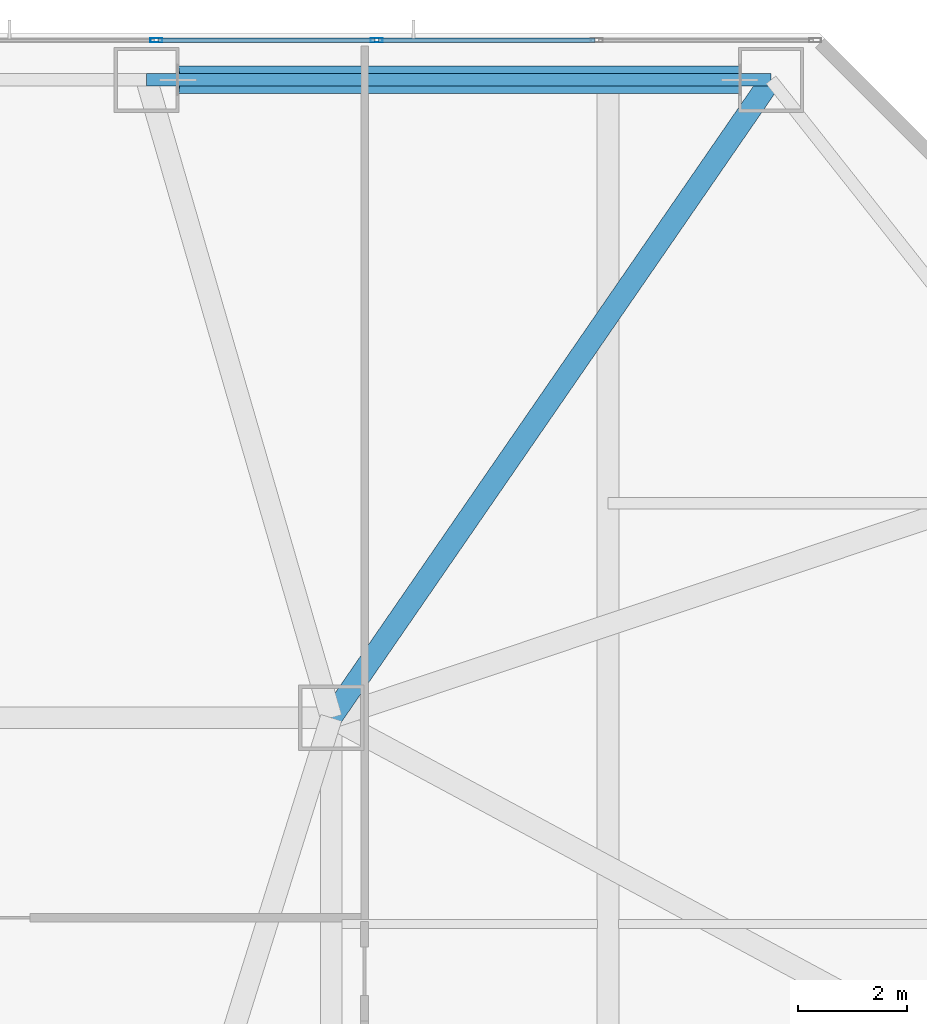
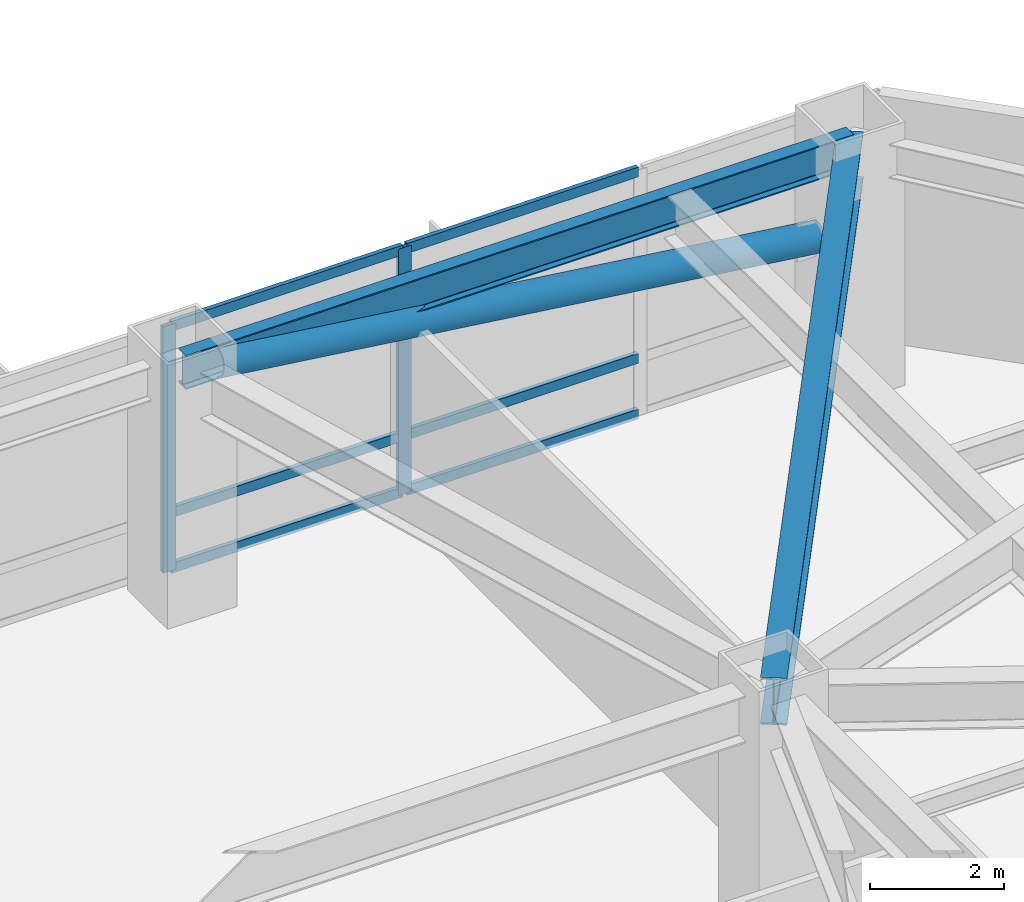
# One storey, part 14 of 33: 9 members, 2 beams, 1 element without a shape of its own.
"""IFC4 building model written with IfcOpenShell, lengths in metres."""

import ifcopenshell
import ifcopenshell.guid

model = None  # the IFC model being written
_history = None  # IfcOwnerHistory: only IFC2X3 demands one
_inside = {}  # id of a spatial element -> (the spatial element, [elements in it])
_under = {}  # id of a project, library or spatial element -> (it, [spatial elements below it])
_declared = {}  # id of a project -> (the project, [libraries it declares])
_typed = {}  # id of a type object -> (the type object, [elements of that type])
_made_of = {}  # id of a material, layer set ... -> (it, [elements and type objects made of it])


def new_model(schema):
    """Start an empty IFC model of exactly this schema.

    Asked for "IFC4X3", IfcOpenShell would pick the latest addendum, in which some entities
    have other attributes; the version numbers below select the first issue.
    IFC2X3 requires an IfcOwnerHistory on every rooted entity: one is made here for all.
    """
    global model, _history
    if schema == "IFC4X3":
        model = ifcopenshell.file(schema_version=(4, 3, 0, 0))
    else:
        model = ifcopenshell.file(schema=schema)
    _inside.clear()
    _under.clear()
    _declared.clear()
    _typed.clear()
    _made_of.clear()
    _history = None
    if model.schema == "IFC2X3":
        org = make("IfcOrganization", Name="unknown")
        user = make(
            "IfcPersonAndOrganization",
            ThePerson=make("IfcPerson", FamilyName="unknown"),
            TheOrganization=org,
        )
        app = make(
            "IfcApplication",
            ApplicationDeveloper=org,
            Version="unknown",
            ApplicationFullName="unknown",
            ApplicationIdentifier="unknown",
        )
        _history = make(
            "IfcOwnerHistory",
            OwningUser=user,
            OwningApplication=app,
            ChangeAction="ADDED",
            CreationDate=0,
        )
    return model


def make(cls, **values):
    """One entity of the class cls with the attributes given. An attribute that is None is left unset."""
    return model.create_entity(
        cls, **{name: value for name, value in values.items() if value is not None}
    )


def rooted(cls, **values):
    """An entity with a GlobalId (a new one), such as an element, a storey or a relation."""
    return make(cls, GlobalId=ifcopenshell.guid.new(), OwnerHistory=_history, **values)


def si_unit(unit_type, name, prefix=None):
    """IfcSIUnit, for example si_unit("LENGTHUNIT", "METRE", prefix="MILLI")."""
    return make("IfcSIUnit", UnitType=unit_type, Prefix=prefix, Name=name)


def assignment(units):
    """IfcUnitAssignment: the units of a project."""
    return None if units is None else make("IfcUnitAssignment", Units=units)


def point(xyz):
    """IfcCartesianPoint."""
    return None if xyz is None else make("IfcCartesianPoint", Coordinates=xyz)


def direction(xyz):
    """IfcDirection."""
    return None if xyz is None else make("IfcDirection", DirectionRatios=xyz)


def frame(location, z_axis=None, x_axis=None):
    """IfcAxis2Placement3D, a coordinate frame: its origin and axes. An axis left out is left unset."""
    return make(
        "IfcAxis2Placement3D",
        Location=point(location),
        Axis=direction(z_axis),
        RefDirection=direction(x_axis),
    )


def frame_2d(location, x_axis=None):
    """IfcAxis2Placement2D, a coordinate frame in the plane: its origin and x axis."""
    return make(
        "IfcAxis2Placement2D", Location=point(location), RefDirection=direction(x_axis)
    )


def origin():
    """The frame at (0, 0, 0) with its axes left unset."""
    return frame((0.0, 0.0, 0.0))


def origin_2d():
    """The frame at (0, 0) in the plane with its x axis left unset."""
    return frame_2d((0.0, 0.0))


def place(relative_to, where):
    """IfcLocalPlacement: puts the frame where relative to a parent placement (None: the world)."""
    return make(
        "IfcLocalPlacement", PlacementRelTo=relative_to, RelativePlacement=where
    )


def context(
    kind, dimensions, precision=None, world=None, true_north=None, identifier=None
):
    """IfcGeometricRepresentationContext, for example the 3D "Model" context."""
    return make(
        "IfcGeometricRepresentationContext",
        ContextIdentifier=identifier,
        ContextType=kind,
        CoordinateSpaceDimension=dimensions,
        Precision=precision,
        WorldCoordinateSystem=world,
        TrueNorth=true_north,
    )


def subcontext(parent, identifier, kind, view, scale=None):
    """IfcGeometricRepresentationSubContext, for example "Body" below "Model"."""
    return make(
        "IfcGeometricRepresentationSubContext",
        ContextIdentifier=identifier,
        ContextType=kind,
        ParentContext=parent,
        TargetScale=scale,
        TargetView=view,
    )


def project(units=None, contexts=None):
    """IfcProject with its units and contexts."""
    return rooted(
        "IfcProject",
        Name="project",
        RepresentationContexts=contexts,
        UnitsInContext=assignment(units),
    )


def spatial(cls, under=None, at=None, **own):
    """A site, building, storey or space (cls), placed at a placement, below another one or the project."""
    s = rooted(cls, ObjectPlacement=at, **own)
    if under is not None:
        _under.setdefault(under.id(), (under, []))[1].append(s)
    return s


def profile(cls, at=None, kind="AREA", **sizes):
    """A parametric profile (cls). Its sizes go by their IFC names, for example OverallWidth=200.0."""
    return make(cls, ProfileType=kind, Position=at, **sizes)


def hollow_rectangle(**sizes):
    """IfcRectangleHollowProfileDef."""
    return profile("IfcRectangleHollowProfileDef", **sizes)


def hollow_circle(**sizes):
    """IfcCircleHollowProfileDef."""
    return profile("IfcCircleHollowProfileDef", **sizes)


def i_section(**sizes):
    """IfcIShapeProfileDef."""
    return profile("IfcIShapeProfileDef", **sizes)


def extrude(swept, where, along, depth):
    """IfcExtrudedAreaSolid: the profile swept, set in the frame where, extruded along a direction by depth."""
    return make(
        "IfcExtrudedAreaSolid",
        SweptArea=swept,
        Position=where,
        ExtrudedDirection=direction(along),
        Depth=depth,
    )


def shape(context_of_items, identifier, shape_type, items):
    """IfcShapeRepresentation: the items that make up one representation, for example the "Body"."""
    return make(
        "IfcShapeRepresentation",
        ContextOfItems=context_of_items,
        RepresentationIdentifier=identifier,
        RepresentationType=shape_type,
        Items=items,
    )


def material(Name=None, Category=None):
    """IfcMaterial."""
    return make("IfcMaterial", Name=Name, Category=Category)


def material_profile(
    of_material, cross_section, Name=None, Category=None, Priority=None
):
    """IfcMaterialProfile: a cross section and its material."""
    return make(
        "IfcMaterialProfile",
        Name=Name,
        Material=of_material,
        Profile=cross_section,
        Priority=Priority,
        Category=Category,
    )


def profile_set(profiles, Name=None, composite=None):
    """IfcMaterialProfileSet."""
    return make(
        "IfcMaterialProfileSet",
        Name=Name,
        MaterialProfiles=profiles,
        CompositeProfile=composite,
    )


def made_of(thing, what):
    """Note that an element or type object is made of a material, layer set ...; save() writes the relation."""
    if what is not None:
        _made_of.setdefault(what.id(), (what, []))[1].append(thing)
    return thing


def type_object(cls, material=None, **own):
    """A type object (cls), such as IfcWallType, which elements share."""
    return made_of(rooted(cls, **own), material)


def element(
    cls,
    number,
    at=None,
    inside=None,
    cuts=None,
    type_object=None,
    material=None,
    context=None,
    identifier="Body",
    shape_type=None,
    held_by="IfcProductDefinitionShape",
    body=None,
    shapes=None,
    **own,
):
    """One element of the class cls, such as IfcWall. Its Tag is "e" and its number.

    at: its placement. inside: the storey or other place that contains it. cuts: it is an
    opening in that element (IfcRelVoidsElement). A single representation is given by context,
    identifier, shape_type and body (its items); several are given by shapes. held_by: the class
    of the entity that holds the representations. save() writes the other relations.
    """
    e = rooted(cls, Tag="e%d" % number, ObjectPlacement=at, **own)
    if body is not None:
        shapes = [shape(context, identifier, shape_type, body)]
    if shapes is not None:
        e.Representation = make(held_by, Representations=shapes)
    if inside is not None:
        _inside.setdefault(inside.id(), (inside, []))[1].append(e)
    if cuts is not None:
        rooted(
            "IfcRelVoidsElement", RelatingBuildingElement=cuts, RelatedOpeningElement=e
        )
    if type_object is not None:
        _typed.setdefault(type_object.id(), (type_object, []))[1].append(e)
    return made_of(e, material)


def aggregate(whole, parts):
    """IfcRelAggregates: a whole, such as a stair, and the parts it consists of."""
    return rooted("IfcRelAggregates", RelatingObject=whole, RelatedObjects=parts)


def save(model, path):
    """Write the relations noted so far, then the file.

    IfcRelAggregates (storeys below a building ...), IfcRelContainedInSpatialStructure (elements
    in a storey), IfcRelDefinesByType, IfcRelAssociatesMaterial and IfcRelDeclares: one each for
    every whole, place, type object, material and project.
    """
    for whole, parts in _under.values():
        aggregate(whole, parts)
    for where, things in _inside.values():
        rooted(
            "IfcRelContainedInSpatialStructure",
            RelatedElements=things,
            RelatingStructure=where,
        )
    for kind, things in _typed.values():
        rooted("IfcRelDefinesByType", RelatedObjects=things, RelatingType=kind)
    for what, things in _made_of.values():
        rooted("IfcRelAssociatesMaterial", RelatedObjects=things, RelatingMaterial=what)
    for by, libraries in _declared.values():
        rooted("IfcRelDeclares", RelatingContext=by, RelatedDefinitions=libraries)
    model.write(path)


model = new_model("IFC4")

# Units and contexts
model_context = context("Model", 3, precision=1e-05, world=origin(), true_north=direction((0.0, 1.0)))
body_context = subcontext(model_context, "Body", "Model", "MODEL_VIEW")
ifc_project = project(units=[si_unit("LENGTHUNIT", "METRE"), si_unit("AREAUNIT", "SQUARE_METRE"), si_unit("VOLUMEUNIT", "CUBIC_METRE"), si_unit("PLANEANGLEUNIT", "RADIAN"), si_unit("MASSUNIT", "GRAM", prefix="KILO")], contexts=[model_context])

# Site, building, storey
site_placement = place(None, origin())
site = spatial("IfcSite", under=ifc_project, at=site_placement, CompositionType="ELEMENT")
building_placement = place(site_placement, origin())
building = spatial("IfcBuilding", under=site, at=building_placement, Name="Khamvora Tower", CompositionType="ELEMENT")
storey_placement = place(building_placement, frame((0.0, 0.0, 7.199951171875)))
storey = spatial("IfcBuildingStorey", under=building, at=storey_placement, Name="L01", CompositionType="ELEMENT", Elevation=7.199951171875)

# Beams
ifc_material_1 = material(Name="Steel S355", Category="steel")
ifc_material_profile_1 = material_profile(ifc_material_1, i_section(OverallWidth=0.39990234375, OverallDepth=0.85498046875, WebThickness=0.01806640625, FlangeThickness=0.029052734375, FilletRadius=0.01806640625, at=origin_2d()), Name="W840x299")
ifc_profile_set_1 = profile_set([ifc_material_profile_1], Name="Steel S355")
beam_type_1 = type_object("IfcBeamType", Name="BM-PG-W840x299", PredefinedType="BEAM", material=ifc_profile_set_1)
beam_1_placement = place(storey_placement, frame((41.39990234375, 43.39990234375, 4.052001953125), z_axis=(0.567573841069, 0.823322497527, 0.0), x_axis=(-0.823322497527, 0.567573841069, 0.0)))
element("IfcBeam", 1, at=beam_1_placement, inside=storey, type_object=beam_type_1, Name="L01 primary floor girder P08", PredefinedType="BEAM", context=body_context, shape_type="SweptSolid", body=[
    extrude(i_section(OverallWidth=0.39990234375, OverallDepth=0.85498046875, WebThickness=0.01806640625, FlangeThickness=0.029052734375, FilletRadius=0.01806640625, at=origin_2d()), origin(), (0.0, 0.0, 1.0), 14.271484375),
])
ifc_material_profile_2 = material_profile(ifc_material_1, i_section(OverallWidth=0.22998046875, OverallDepth=0.616943359375, WebThickness=0.012939453125, FlangeThickness=0.02197265625, FilletRadius=0.013916015625, at=origin_2d()), Name="W610x140")
ifc_profile_set_2 = profile_set([ifc_material_profile_2], Name="Steel S355")
beam_type_2 = type_object("IfcBeamType", Name="BM-SP-W610x140", PredefinedType="SPANDREL", material=ifc_profile_set_2)
beam_2_placement = place(storey_placement, frame((49.5, 55.14990234375, 4.171142578125), z_axis=(-1.0, 0.0, 0.0), x_axis=(0.0, -1.0, 0.0)))
element("IfcBeam", 2, at=beam_2_placement, inside=storey, type_object=beam_type_2, Name="L01 perimeter spandrel beam P08-P07", PredefinedType="SPANDREL", context=body_context, shape_type="SweptSolid", body=[
    extrude(i_section(OverallWidth=0.22998046875, OverallDepth=0.616943359375, WebThickness=0.012939453125, FlangeThickness=0.02197265625, FilletRadius=0.013916015625, at=origin_2d()), origin(), (0.0, 0.0, 1.0), 11.5),
])

# Curtain wall, members
ifc_material_2 = material(Name="Anodised Aluminium 6063-T6", Category="aluminium")
curtain_wall_type = type_object("IfcCurtainWallType", Name="CW-SYS-01", PredefinedType="NOTDEFINED", material=ifc_material_2)
curtain_wall_placement = place(storey_placement, origin())
curtain_wall = element("IfcCurtainWall", 3, at=curtain_wall_placement, inside=storey, type_object=curtain_wall_type, Name="L01 stick curtain wall 07.1", PredefinedType="NOTDEFINED")
ifc_material_profile_3 = material_profile(ifc_material_2, hollow_rectangle(XDim=0.074951171875, YDim=0.219970703125, WallThickness=0.0048828125, at=origin_2d()), Name="MUL75x220x5")
ifc_profile_set_3 = profile_set([ifc_material_profile_3], Name="Anodised Aluminium 6063-T6")
member_type_1 = type_object("IfcMemberType", Name="CW-SYS-01-MUL", PredefinedType="MULLION", material=ifc_profile_set_3)
member_1_placement = place(storey_placement, frame((38.18017578125, 55.8798828125, 0.0), z_axis=(0.0, 0.0, 1.0), x_axis=(0.0, 1.0, 0.0)))
member_1 = element("IfcMember", 4, at=member_1_placement, type_object=member_type_1, Name="CW-01 mullion 9", PredefinedType="MULLION", context=body_context, shape_type="SweptSolid", body=[
    extrude(hollow_rectangle(XDim=0.074951171875, YDim=0.219970703125, WallThickness=0.0048828125, at=origin_2d()), origin(), (0.0, 0.0, 1.0), 4.47998046875),
])
member_2_placement = place(storey_placement, frame((42.23681640625, 55.8798828125, 0.0), z_axis=(0.0, 0.0, 1.0), x_axis=(0.0, 1.0, 0.0)))
member_2 = element("IfcMember", 5, at=member_2_placement, type_object=member_type_1, Name="CW-01 mullion 10", PredefinedType="MULLION", context=body_context, shape_type="SweptSolid", body=[
    extrude(hollow_rectangle(XDim=0.074951171875, YDim=0.219970703125, WallThickness=0.0048828125, at=origin_2d()), origin(), (0.0, 0.0, 1.0), 4.47998046875),
])
ifc_material_profile_4 = material_profile(ifc_material_2, hollow_rectangle(XDim=0.074951171875, YDim=0.179931640625, WallThickness=0.0048828125, at=origin_2d()), Name="TRN75x180x5")
ifc_profile_set_4 = profile_set([ifc_material_profile_4], Name="Anodised Aluminium 6063-T6")
member_type_2 = type_object("IfcMemberType", Name="CW-SYS-01-TRN", PredefinedType="USERDEFINED", material=ifc_profile_set_4)
member_3_placement = place(storey_placement, frame((38.217529296875, 55.8798828125, 0.03759765625), z_axis=(1.0, 0.0, 0.0), x_axis=(0.0, 1.0, 0.0)))
member_3 = element("IfcMember", 6, at=member_3_placement, type_object=member_type_2, Name="CW-01 transom 9.1", ObjectType="TRANSOM", PredefinedType="USERDEFINED", context=body_context, shape_type="SweptSolid", body=[
    extrude(hollow_rectangle(XDim=0.074951171875, YDim=0.179931640625, WallThickness=0.0048828125, at=origin_2d()), origin(), (0.0, 0.0, 1.0), 3.981689453125),
])
member_4_placement = place(storey_placement, frame((38.217529296875, 55.8798828125, 1.050048828125), z_axis=(1.0, 0.0, 0.0), x_axis=(0.0, 1.0, 0.0)))
member_4 = element("IfcMember", 7, at=member_4_placement, type_object=member_type_2, Name="CW-01 transom 9.2", ObjectType="TRANSOM", PredefinedType="USERDEFINED", context=body_context, shape_type="SweptSolid", body=[
    extrude(hollow_rectangle(XDim=0.074951171875, YDim=0.179931640625, WallThickness=0.0048828125, at=origin_2d()), origin(), (0.0, 0.0, 1.0), 3.981689453125),
])
member_5_placement = place(storey_placement, frame((38.217529296875, 55.8798828125, 4.442626953125), z_axis=(1.0, 0.0, 0.0), x_axis=(0.0, 1.0, 0.0)))
member_5 = element("IfcMember", 8, at=member_5_placement, type_object=member_type_2, Name="CW-01 transom 9.3", ObjectType="TRANSOM", PredefinedType="USERDEFINED", context=body_context, shape_type="SweptSolid", body=[
    extrude(hollow_rectangle(XDim=0.074951171875, YDim=0.179931640625, WallThickness=0.0048828125, at=origin_2d()), origin(), (0.0, 0.0, 1.0), 3.981689453125),
])
member_6_placement = place(storey_placement, frame((42.274169921875, 55.8798828125, 0.03759765625), z_axis=(1.0, 0.0, 0.0), x_axis=(0.0, 1.0, 0.0)))
member_6 = element("IfcMember", 9, at=member_6_placement, type_object=member_type_2, Name="CW-01 transom 10.1", ObjectType="TRANSOM", PredefinedType="USERDEFINED", context=body_context, shape_type="SweptSolid", body=[
    extrude(hollow_rectangle(XDim=0.074951171875, YDim=0.179931640625, WallThickness=0.0048828125, at=origin_2d()), origin(), (0.0, 0.0, 1.0), 3.981689453125),
])
member_7_placement = place(storey_placement, frame((42.274169921875, 55.8798828125, 1.050048828125), z_axis=(1.0, 0.0, 0.0), x_axis=(0.0, 1.0, 0.0)))
member_7 = element("IfcMember", 10, at=member_7_placement, type_object=member_type_2, Name="CW-01 transom 10.2", ObjectType="TRANSOM", PredefinedType="USERDEFINED", context=body_context, shape_type="SweptSolid", body=[
    extrude(hollow_rectangle(XDim=0.074951171875, YDim=0.179931640625, WallThickness=0.0048828125, at=origin_2d()), origin(), (0.0, 0.0, 1.0), 3.981689453125),
])
member_8_placement = place(storey_placement, frame((42.274169921875, 55.8798828125, 4.442626953125), z_axis=(1.0, 0.0, 0.0), x_axis=(0.0, 1.0, 0.0)))
member_8 = element("IfcMember", 11, at=member_8_placement, type_object=member_type_2, Name="CW-01 transom 10.3", ObjectType="TRANSOM", PredefinedType="USERDEFINED", context=body_context, shape_type="SweptSolid", body=[
    extrude(hollow_rectangle(XDim=0.074951171875, YDim=0.179931640625, WallThickness=0.0048828125, at=origin_2d()), origin(), (0.0, 0.0, 1.0), 3.981689453125),
])
aggregate(curtain_wall, [member_1, member_2, member_3, member_4, member_5, member_6, member_7, member_8])

# Member
ifc_material_3 = material(Name="Steel S460", Category="steel")
ifc_material_profile_5 = material_profile(ifc_material_3, hollow_circle(Radius=0.25390625, WallThickness=0.02490234375, at=origin_2d()), Name="CHS508x25")
ifc_profile_set_5 = profile_set([ifc_material_profile_5], Name="Steel S460")
member_type_3 = type_object("IfcMemberType", Name="MEM-BR-CHS508", PredefinedType="BRACE", material=ifc_profile_set_5)
member_9_placement = place(storey_placement, frame((48.925048828125, 55.14990234375, 2.755126953125), z_axis=(-0.991712996573, 0.0, 0.128473080558), x_axis=(0.0, -1.0, 0.0)))
element("IfcMember", 12, at=member_9_placement, inside=storey, type_object=member_type_3, Name="L01 perimeter wind brace 4", PredefinedType="BRACE", context=body_context, shape_type="SweptSolid", body=[
    extrude(hollow_circle(Radius=0.25390625, WallThickness=0.02490234375, at=origin_2d()), origin(), (0.0, 0.0, 1.0), 10.4365234375),
])

save(model, "model.ifc")
